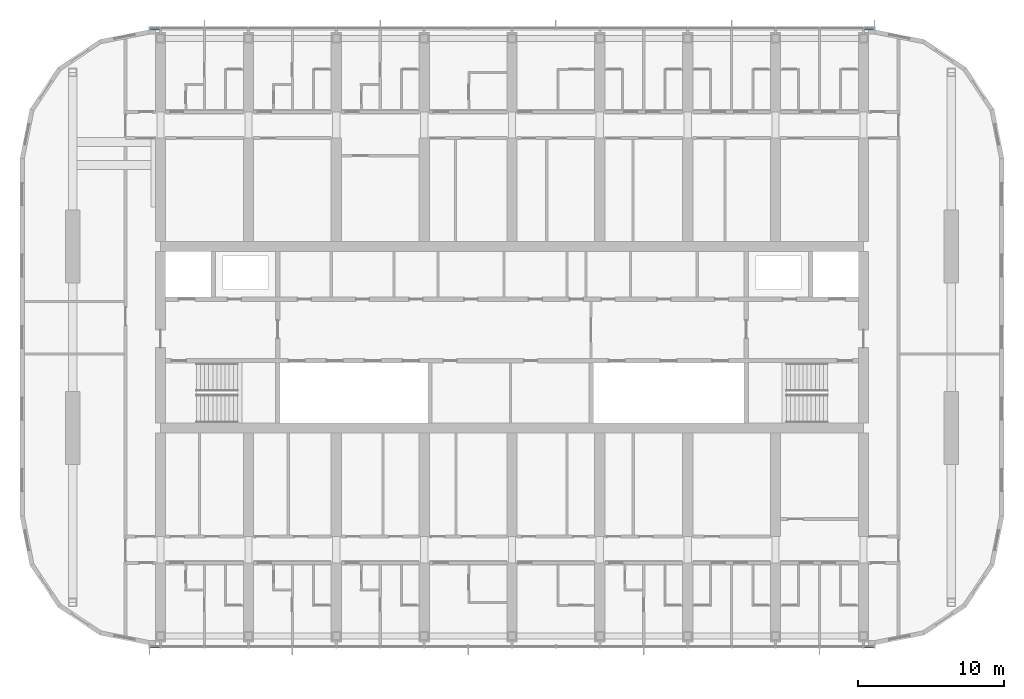
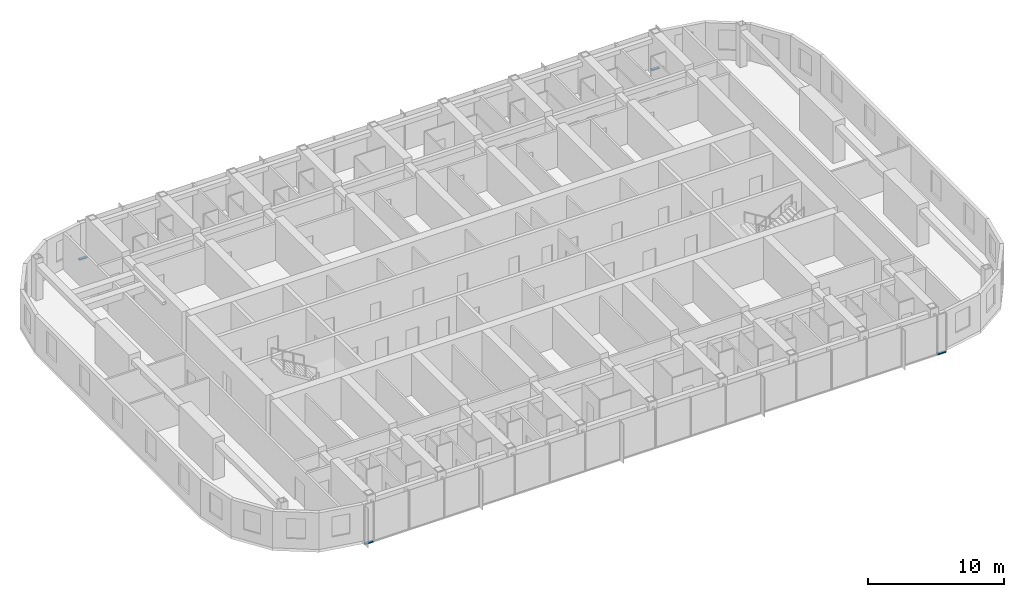
# One storey, part 6 of 24: 4 members, 2 elements without a shape of their own.
"""IFC4 building model written with IfcOpenShell, lengths in metres."""

from ifc_helpers import new_model, si_unit, direction, frame, origin, origin_2d, place, context, subcontext, project, spatial, rectangle, extrude, material, material_profile, profile_set, type_object, element, aggregate, save


model = new_model("IFC4")

# Units and contexts
model_context = context("Model", 3, precision=1e-05, world=origin(), true_north=direction((0.0, 1.0)))
body_context = subcontext(model_context, "Body", "Model", "MODEL_VIEW")
ifc_project = project(units=[si_unit("LENGTHUNIT", "METRE"), si_unit("AREAUNIT", "SQUARE_METRE"), si_unit("VOLUMEUNIT", "CUBIC_METRE"), si_unit("PLANEANGLEUNIT", "RADIAN"), si_unit("MASSUNIT", "GRAM", prefix="KILO")], contexts=[model_context])

# Site, building, storey
site_placement = place(None, origin())
site = spatial("IfcSite", under=ifc_project, at=site_placement, CompositionType="ELEMENT")
building_placement = place(site_placement, origin())
building = spatial("IfcBuilding", under=site, at=building_placement, Name="Orbita Commons", CompositionType="ELEMENT")
storey_placement = place(building_placement, frame((0.0, 0.0, 242.800048828125)))
storey = spatial("IfcBuildingStorey", under=building, at=storey_placement, Name="L60", CompositionType="ELEMENT", Elevation=242.800048828125)

# Curtain wall, members
ifc_material_1 = material(Name="Anodised aluminium frame, pale silver", Category="aluminium")
curtain_wall_type = type_object("IfcCurtainWallType", Name="Unitised curtain wall CW-U, full-height vision", PredefinedType="NOTDEFINED", material=ifc_material_1)
curtain_wall_1_placement = place(storey_placement, origin())
curtain_wall_1 = element("IfcCurtainWall", 1, at=curtain_wall_1_placement, inside=storey, type_object=curtain_wall_type, Name="Curtain wall south L60", PredefinedType="NOTDEFINED")
ifc_material_2 = material(Name="Anodised aluminium, pale silver", Category="aluminium")
ifc_material_profile = material_profile(ifc_material_2, rectangle(XDim=0.219970703125, YDim=0.10009765625, at=origin_2d()), Name="AL 220x100")
ifc_profile_set = profile_set([ifc_material_profile], Name="Anodised aluminium, pale silver")
member_type = type_object("IfcMemberType", Name="Curtain wall stack transom 220x100", PredefinedType="USERDEFINED", material=ifc_profile_set)
member_1_placement = place(storey_placement, frame((17.280029296875, 10.889892578125, -0.199951171875), z_axis=(1.0, 0.0, 0.0), x_axis=(0.0, 1.0, 0.0)))
member_1 = element("IfcMember", 2, at=member_1_placement, type_object=member_type, Name="Transom 1.1 CW-L60-S", ObjectType="TRANSOM", PredefinedType="USERDEFINED", context=body_context, shape_type="SweptSolid", body=[
    extrude(rectangle(XDim=0.219970703125, YDim=0.10009765625, at=origin_2d()), origin(), (0.0, 0.0, 1.0), 0.679931640625),
])
member_2_placement = place(storey_placement, frame((66.0400390625, 10.889892578125, -0.199951171875), z_axis=(1.0, 0.0, 0.0), x_axis=(0.0, 1.0, 0.0)))
member_2 = element("IfcMember", 3, at=member_2_placement, type_object=member_type, Name="Transom 18.1 CW-L60-S", ObjectType="TRANSOM", PredefinedType="USERDEFINED", context=body_context, shape_type="SweptSolid", body=[
    extrude(rectangle(XDim=0.219970703125, YDim=0.10009765625, at=origin_2d()), origin(), (0.0, 0.0, 1.0), 0.679931640625),
])
aggregate(curtain_wall_1, [member_1, member_2])

curtain_wall_2_placement = place(storey_placement, origin())
curtain_wall_2 = element("IfcCurtainWall", 4, at=curtain_wall_2_placement, inside=storey, type_object=curtain_wall_type, Name="Curtain wall north L60", PredefinedType="NOTDEFINED")
member_3_placement = place(storey_placement, frame((66.719970703125, 53.110107421875, -0.199951171875), z_axis=(-1.0, 0.0, 0.0), x_axis=(0.0, -1.0, 0.0)))
member_3 = element("IfcMember", 5, at=member_3_placement, type_object=member_type, Name="Transom 1.1 CW-L60-N", ObjectType="TRANSOM", PredefinedType="USERDEFINED", context=body_context, shape_type="SweptSolid", body=[
    extrude(rectangle(XDim=0.219970703125, YDim=0.10009765625, at=origin_2d()), origin(), (0.0, 0.0, 1.0), 0.679931640625),
])
member_4_placement = place(storey_placement, frame((17.9599609375, 53.110107421875, -0.199951171875), z_axis=(-1.0, 0.0, 0.0), x_axis=(0.0, -1.0, 0.0)))
member_4 = element("IfcMember", 6, at=member_4_placement, type_object=member_type, Name="Transom 18.1 CW-L60-N", ObjectType="TRANSOM", PredefinedType="USERDEFINED", context=body_context, shape_type="SweptSolid", body=[
    extrude(rectangle(XDim=0.219970703125, YDim=0.10009765625, at=origin_2d()), origin(), (0.0, 0.0, 1.0), 0.679931640625),
])
aggregate(curtain_wall_2, [member_3, member_4])

save(model, "model.ifc")
